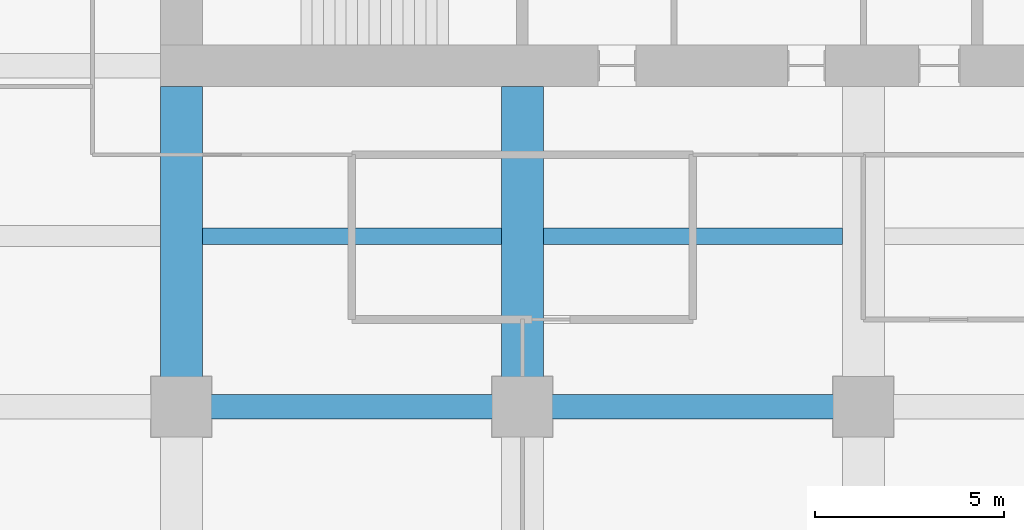
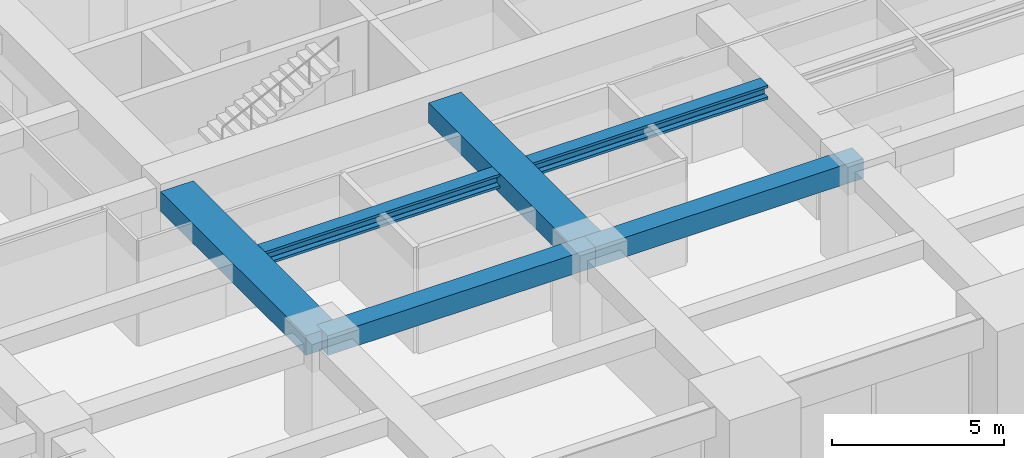
# One storey, part 8 of 32: 6 beams.
"""IFC4 building model written with IfcOpenShell, lengths in metres."""

from ifc_helpers import new_model, si_unit, direction, frame, origin, origin_2d, place, context, subcontext, project, spatial, rectangle, i_section, extrude, material, material_profile, profile_set, type_object, element, save


model = new_model("IFC4")

# Units and contexts
model_context = context("Model", 3, precision=1e-05, world=origin(), true_north=direction((0.0, 1.0)))
body_context = subcontext(model_context, "Body", "Model", "MODEL_VIEW")
ifc_project = project(units=[si_unit("LENGTHUNIT", "METRE"), si_unit("AREAUNIT", "SQUARE_METRE"), si_unit("VOLUMEUNIT", "CUBIC_METRE"), si_unit("PLANEANGLEUNIT", "RADIAN"), si_unit("MASSUNIT", "GRAM", prefix="KILO")], contexts=[model_context])

# Site, building, storey
site_placement = place(None, origin())
site = spatial("IfcSite", under=ifc_project, at=site_placement, CompositionType="ELEMENT")
building_placement = place(site_placement, origin())
building = spatial("IfcBuilding", under=site, at=building_placement, Name="Zorevar Civic Tower", CompositionType="ELEMENT")
storey_placement = place(building_placement, frame((0.0, 0.0, 186.199951171875)))
storey = spatial("IfcBuildingStorey", under=building, at=storey_placement, Name="L45", CompositionType="ELEMENT", Elevation=186.199951171875)

# Beams
ifc_material_1 = material(Name="Concrete C50/60", Category="concrete")
ifc_material_profile_1 = material_profile(ifc_material_1, rectangle(XDim=1.10009765625, YDim=0.699951171875, at=origin_2d()), Name="RC 1100x700")
ifc_profile_set_1 = profile_set([ifc_material_profile_1], Name="Concrete C50/60")
beam_type_1 = type_object("IfcBeamType", Name="Beam RC 1100x700", PredefinedType="BEAM", material=ifc_profile_set_1)
for number, where, z_axis, x_axis, name in (
    (1, (18.0, 9.0, 3.400146484375), (0.0, 1.0, 0.0), (-1.0, 0.0, 0.0), "Girder L46"),
    (2, (27.0, 9.0, 3.400146484375), (0.0, 1.0, 0.0), (-1.0, 0.0, 0.0), "Girder L46"),
):
    element("IfcBeam", number, at=place(storey_placement, frame(where, z_axis=z_axis, x_axis=x_axis)), inside=storey, type_object=beam_type_1, Name=name, PredefinedType="BEAM", context=body_context, shape_type="SweptSolid", body=[
        extrude(rectangle(XDim=1.10009765625, YDim=0.699951171875, at=origin_2d()), origin(), (0.0, 0.0, 1.0), 8.449951171875),
    ])
ifc_material_2 = material(Name="Concrete C50/60", Category="concrete")
ifc_material_profile_2 = material_profile(ifc_material_2, rectangle(XDim=0.64990234375, YDim=0.699951171875, at=origin_2d()), Name="RC 650x700")
ifc_profile_set_2 = profile_set([ifc_material_profile_2], Name="Concrete C50/60")
beam_type_2 = type_object("IfcBeamType", Name="Beam RC 650x700", PredefinedType="BEAM", material=ifc_profile_set_2)
for number, where, z_axis, x_axis, name in (
    (3, (18.0, 9.0, 3.400146484375), (1.0, 0.0, 0.0), (0.0, 1.0, 0.0), "Girder L46"),
    (4, (27.0, 9.0, 3.400146484375), (1.0, 0.0, 0.0), (0.0, 1.0, 0.0), "Girder L46"),
):
    element("IfcBeam", number, at=place(storey_placement, frame(where, z_axis=z_axis, x_axis=x_axis)), inside=storey, type_object=beam_type_2, Name=name, PredefinedType="BEAM", context=body_context, shape_type="SweptSolid", body=[
        extrude(rectangle(XDim=0.64990234375, YDim=0.699951171875, at=origin_2d()), origin(), (0.0, 0.0, 1.0), 9.0),
    ])
ifc_material_3 = material(Name="Steel S460M (HISTAR 460)", Category="steel")
ifc_material_profile_3 = material_profile(ifc_material_3, i_section(OverallWidth=0.431884765625, OverallDepth=0.498046875, WebThickness=0.0556640625, FlangeThickness=0.0888671875, FilletRadius=0.014892578125, at=origin_2d()), Name="HD 400x744")
ifc_profile_set_3 = profile_set([ifc_material_profile_3], Name="Steel S460M (HISTAR 460)")
beam_type_3 = type_object("IfcBeamType", Name="Core bay beam HD 400x744", PredefinedType="BEAM", material=ifc_profile_set_3)
for number, where, z_axis, x_axis, name in (
    (5, (18.550048828125, 13.5, 3.5009765625), (1.0, 0.0, 0.0), (0.0, 1.0, 0.0), "Secondary beam L46"),
    (6, (27.550048828125, 13.5, 3.5009765625), (1.0, 0.0, 0.0), (0.0, 1.0, 0.0), "Secondary beam L46"),
):
    element("IfcBeam", number, at=place(storey_placement, frame(where, z_axis=z_axis, x_axis=x_axis)), inside=storey, type_object=beam_type_3, Name=name, PredefinedType="BEAM", context=body_context, shape_type="SweptSolid", body=[
        extrude(i_section(OverallWidth=0.431884765625, OverallDepth=0.498046875, WebThickness=0.0556640625, FlangeThickness=0.0888671875, FilletRadius=0.014892578125, at=origin_2d()), origin(), (0.0, 0.0, 1.0), 7.89990234375),
    ])

save(model, "model.ifc")
